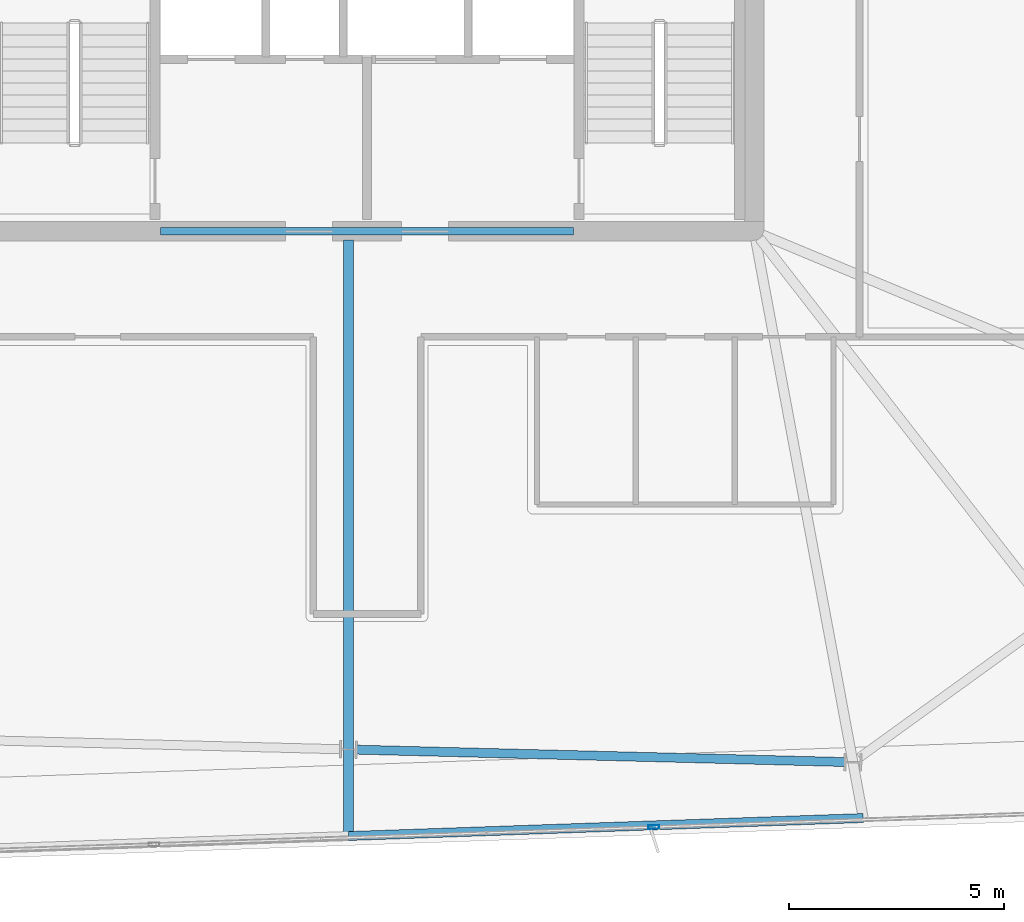
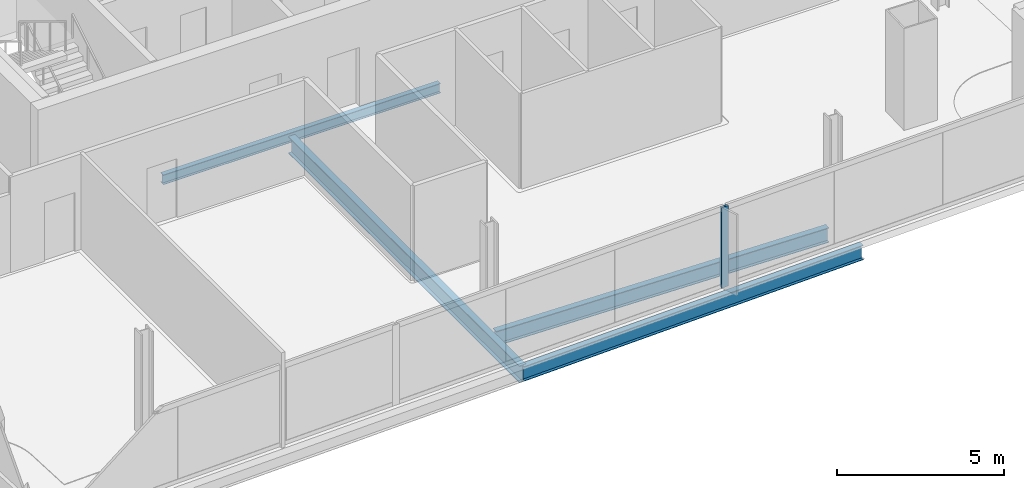
# One storey, part 5 of 23: 4 beams, 1 member, 1 element without a shape of its own.
"""IFC4 building model written with IfcOpenShell, lengths in metres."""

from ifc_helpers import new_model, si_unit, direction, frame, origin, origin_2d, place, context, subcontext, project, spatial, hollow_rectangle, i_section, extrude, material, material_profile, profile_set, type_object, element, aggregate, save


model = new_model("IFC4")

# Units and contexts
model_context = context("Model", 3, precision=1e-05, world=origin(), true_north=direction((0.0, 1.0)))
body_context = subcontext(model_context, "Body", "Model", "MODEL_VIEW")
ifc_project = project(units=[si_unit("LENGTHUNIT", "METRE"), si_unit("AREAUNIT", "SQUARE_METRE"), si_unit("VOLUMEUNIT", "CUBIC_METRE"), si_unit("PLANEANGLEUNIT", "RADIAN"), si_unit("MASSUNIT", "GRAM", prefix="KILO")], contexts=[model_context])

# Site, building, storey
site_placement = place(None, origin())
site = spatial("IfcSite", under=ifc_project, at=site_placement, CompositionType="ELEMENT")
building_placement = place(site_placement, origin())
building = spatial("IfcBuilding", under=site, at=building_placement, Name="Haldenkirk Collegiate Tower", CompositionType="ELEMENT")
storey_placement = place(building_placement, frame((0.0, 0.0, 336.449951171875)))
storey = spatial("IfcBuildingStorey", under=building, at=storey_placement, Name="L85", CompositionType="ELEMENT", Elevation=336.449951171875)

# Beams
ifc_material_1 = material(Name="Steel ASTM A992 Grade 50", Category="steel")
ifc_material_profile_1 = material_profile(ifc_material_1, i_section(OverallWidth=0.22998046875, OverallDepth=0.616943359375, WebThickness=0.01318359375, FlangeThickness=0.022216796875, at=origin_2d()), Name="W24X94")
ifc_profile_set_1 = profile_set([ifc_material_profile_1], Name="Steel ASTM A992 Grade 50")
beam_type_1 = type_object("IfcBeamType", Name="BM-GIRDER-W24X94", PredefinedType="BEAM", material=ifc_profile_set_1)
beam_1_placement = place(storey_placement, frame((35.567626953125, 3.94140625, -0.568359375), z_axis=(0.0, 1.0, 0.0), x_axis=(-1.0, 0.0, 0.0)))
element("IfcBeam", 1, at=beam_1_placement, inside=storey, type_object=beam_type_1, Name="L85 primary floor girder 15", PredefinedType="BEAM", context=body_context, shape_type="SweptSolid", body=[
    extrude(i_section(OverallWidth=0.22998046875, OverallDepth=0.616943359375, WebThickness=0.01318359375, FlangeThickness=0.022216796875, at=origin_2d()), origin(), (0.0, 0.0, 1.0), 13.853515625),
])
ifc_material_profile_2 = material_profile(ifc_material_1, i_section(OverallWidth=0.1708984375, OverallDepth=0.35595703125, WebThickness=0.007080078125, FlangeThickness=0.01171875, at=origin_2d()), Name="W14X34")
ifc_profile_set_2 = profile_set([ifc_material_profile_2], Name="Steel ASTM A992 Grade 50")
beam_type_2 = type_object("IfcBeamType", Name="BM-LINTEL-W14X34", PredefinedType="LINTEL", material=ifc_profile_set_2)
beam_2_placement = place(storey_placement, frame((31.199951171875, 18.0, -0.43798828125), z_axis=(1.0, 0.0, 0.0), x_axis=(0.0, 1.0, 0.0)))
element("IfcBeam", 2, at=beam_2_placement, inside=storey, type_object=beam_type_2, Name="L85 south core coupling lintel", PredefinedType="LINTEL", context=body_context, shape_type="SweptSolid", body=[
    extrude(i_section(OverallWidth=0.1708984375, OverallDepth=0.35595703125, WebThickness=0.007080078125, FlangeThickness=0.01171875, at=origin_2d()), origin(), (0.0, 0.0, 1.0), 9.60009765625),
])
ifc_material_profile_3 = material_profile(ifc_material_1, i_section(OverallWidth=0.2099609375, OverallDepth=0.537109375, WebThickness=0.010986328125, FlangeThickness=0.017333984375, at=origin_2d()), Name="W21X68")
ifc_profile_set_3 = profile_set([ifc_material_profile_3], Name="Steel ASTM A992 Grade 50")
beam_type_3 = type_object("IfcBeamType", Name="BM-SPANDREL-W21X68", PredefinedType="SPANDREL", material=ifc_profile_set_3)
beam_3_placement = place(storey_placement, frame((35.755615234375, 5.94970703125, -0.528564453125), z_axis=(0.999679850822, -0.025302092003, 0.0), x_axis=(0.025302092003, 0.999679850822, 0.0)))
element("IfcBeam", 3, at=beam_3_placement, inside=storey, type_object=beam_type_3, Name="L85 perimeter spandrel beam 15", PredefinedType="SPANDREL", context=body_context, shape_type="SweptSolid", body=[
    extrude(i_section(OverallWidth=0.2099609375, OverallDepth=0.537109375, WebThickness=0.010986328125, FlangeThickness=0.017333984375, at=origin_2d()), origin(), (0.0, 0.0, 1.0), 11.35693359375),
])
beam_4_placement = place(storey_placement, frame((35.567626953125, 3.94140625, -0.528564453125), z_axis=(0.999390308025, 0.03491435559, 0.0), x_axis=(-0.03491435559, 0.999390308025, 0.0)))
element("IfcBeam", 4, at=beam_4_placement, inside=storey, type_object=beam_type_3, Name="L85 outer facade edge beam 4B", PredefinedType="SPANDREL", context=body_context, shape_type="SweptSolid", body=[
    extrude(i_section(OverallWidth=0.2099609375, OverallDepth=0.537109375, WebThickness=0.010986328125, FlangeThickness=0.017333984375, at=origin_2d()), origin(), (0.0, 0.0, 1.0), 11.978271484375),
])

# Curtain wall, member
ifc_material_2 = material(Name="Anodised architectural bronze aluminium", Category="aluminium")
curtain_wall_type = type_object("IfcCurtainWallType", Name="CW-SYS1B-CONVEX-HI", PredefinedType="USERDEFINED", material=ifc_material_2)
curtain_wall_placement = place(storey_placement, origin())
curtain_wall = element("IfcCurtainWall", 5, at=curtain_wall_placement, inside=storey, type_object=curtain_wall_type, Name="L85 Upper tower high-wind convex bronze unitised curtain wall", ObjectType="UNITISED CURTAIN WALL", PredefinedType="USERDEFINED")
ifc_material_profile_4 = material_profile(ifc_material_2, hollow_rectangle(XDim=0.0849609375, YDim=0.25, WallThickness=0.0048828125, at=origin_2d()), Name="CW-MUL-1B")
ifc_profile_set_4 = profile_set([ifc_material_profile_4], Name="Anodised architectural bronze aluminium")
member_type = type_object("IfcMemberType", Name="CW-MUL-1B", PredefinedType="MULLION", material=ifc_profile_set_4)
member_placement = place(storey_placement, frame((42.66650390625, 4.1494140625, 0.0), z_axis=(0.0, 0.0, 1.0), x_axis=(0.034901844415, -0.999390745032, 0.0)))
member = element("IfcMember", 6, at=member_placement, type_object=member_type, Name="CW-1B mullion 2", PredefinedType="MULLION", context=body_context, shape_type="SweptSolid", body=[
    extrude(hollow_rectangle(XDim=0.0849609375, YDim=0.25, WallThickness=0.0048828125, at=origin_2d()), origin(), (0.0, 0.0, 1.0), 2.947998046875),
])
aggregate(curtain_wall, [member])

save(model, "model.ifc")
